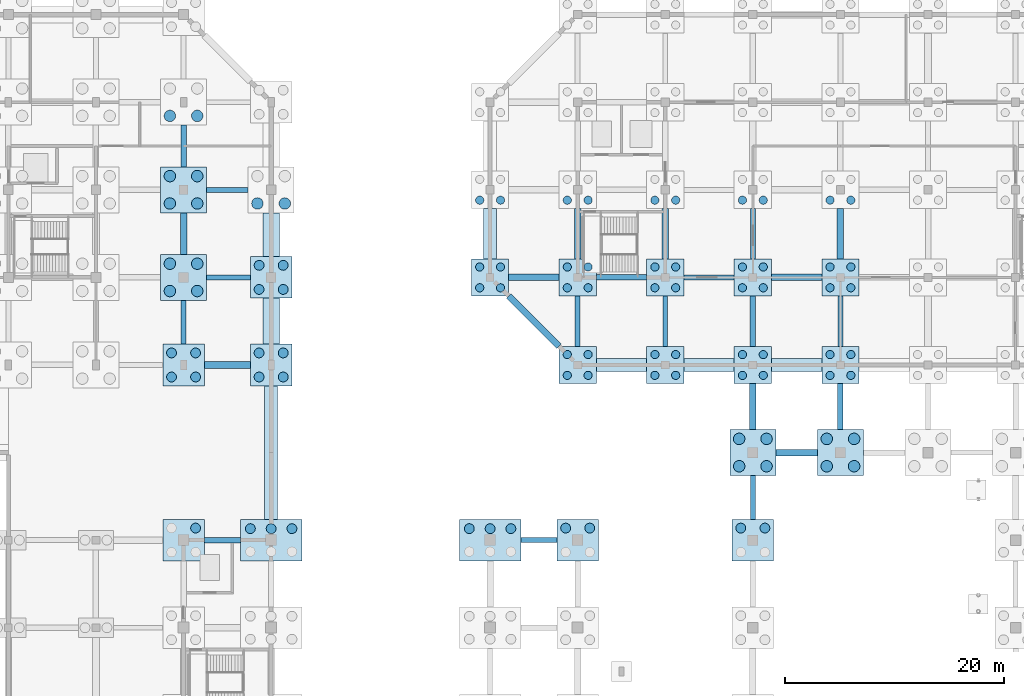
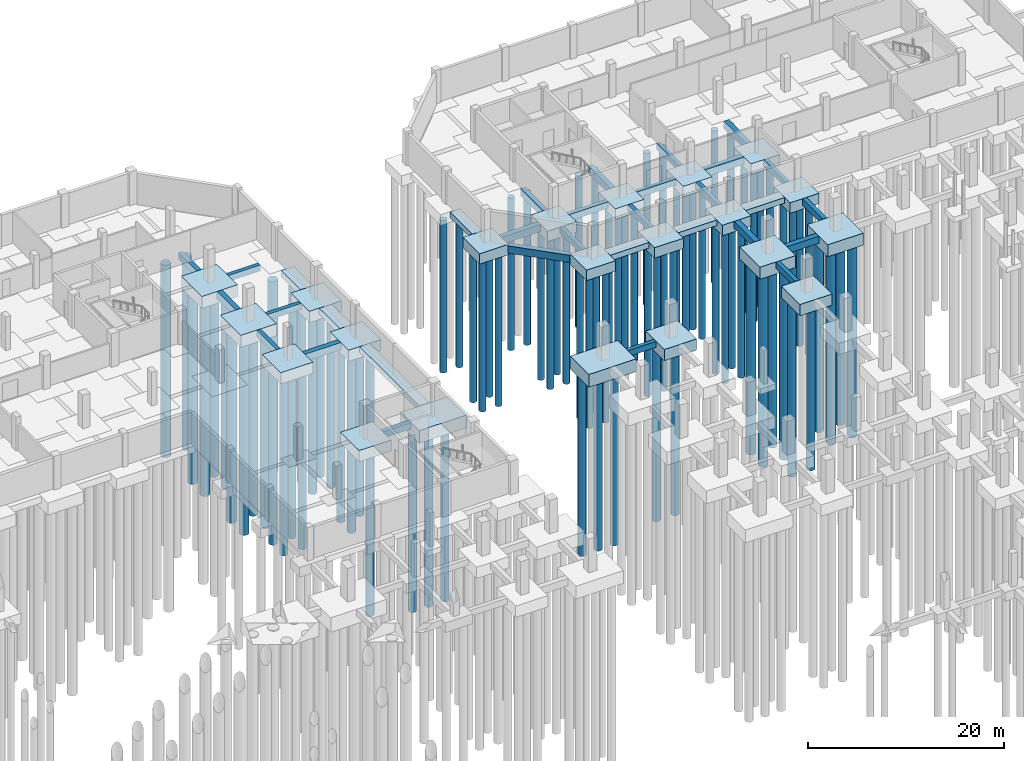
# One storey, part 7 of 32: 89 piles, 53 footings.
"""IFC4 building model written with IfcOpenShell, lengths in metres."""

from ifc_helpers import new_model, si_unit, direction, frame, origin, origin_2d, place, context, subcontext, project, spatial, polyline, rectangle, circle, outline, extrude, material, material_profile, profile_set, type_object, element, save


model = new_model("IFC4")

# Units and contexts
model_context = context("Model", 3, precision=1e-05, world=origin(), true_north=direction((0.0, 1.0)))
body_context = subcontext(model_context, "Body", "Model", "MODEL_VIEW")
ifc_project = project(units=[si_unit("LENGTHUNIT", "METRE"), si_unit("AREAUNIT", "SQUARE_METRE"), si_unit("VOLUMEUNIT", "CUBIC_METRE"), si_unit("PLANEANGLEUNIT", "RADIAN"), si_unit("MASSUNIT", "GRAM", prefix="KILO")], contexts=[model_context])

# Site, building, storey
site_placement = place(None, origin())
site = spatial("IfcSite", under=ifc_project, at=site_placement, CompositionType="ELEMENT")
building_placement = place(site_placement, origin())
building = spatial("IfcBuilding", under=site, at=building_placement, Name="Tenunan Teduh Sports Hall", CompositionType="ELEMENT")
storey_placement = place(building_placement, frame((0.0, 0.0, -4.199951171875)))
storey = spatial("IfcBuildingStorey", under=building, at=storey_placement, Name="B1", CompositionType="ELEMENT", Elevation=-4.199951171875)

# Footings
ifc_material_1 = material(Name="Concrete C40/50", Category="concrete")
ifc_material_profile_1 = material_profile(ifc_material_1, rectangle(XDim=0.449951171875, YDim=0.75, at=origin_2d()), Name="RCB 450x750")
ifc_profile_set_1 = profile_set([ifc_material_profile_1], Name="Concrete C40/50")
footing_type_1 = type_object("IfcFootingType", Name="GB-450x750", PredefinedType="FOOTING_BEAM", material=ifc_profile_set_1)
footing_1_placement = place(storey_placement, frame((100.802001953125, 70.0, -0.375), z_axis=(1.0, 0.0, 0.0), x_axis=(0.0, 1.0, 0.0)))
element("IfcFooting", 1, at=footing_1_placement, inside=storey, type_object=footing_type_1, Name="FTG-GBX-095", PredefinedType="FOOTING_BEAM", context=body_context, shape_type="SweptSolid", body=[
    extrude(rectangle(XDim=0.449951171875, YDim=0.75, at=origin_2d()), origin(), (0.0, 0.0, 1.0), 3.2958984375),
])
footing_2_placement = place(storey_placement, frame((72.10205078125, 94.0, -0.375), z_axis=(1.0, 0.0, 0.0), x_axis=(0.0, 1.0, 0.0)))
element("IfcFooting", 2, at=footing_2_placement, inside=storey, type_object=footing_type_1, Name="FTG-GBX-119", PredefinedType="FOOTING_BEAM", context=body_context, shape_type="SweptSolid", body=[
    extrude(rectangle(XDim=0.449951171875, YDim=0.75, at=origin_2d()), origin(), (0.0, 0.0, 1.0), 3.995849609375),
])
footing_3_placement = place(storey_placement, frame((115.701904296875, 94.0, -0.375), z_axis=(1.0, 0.0, 0.0), x_axis=(0.0, 1.0, 0.0)))
element("IfcFooting", 3, at=footing_3_placement, inside=storey, type_object=footing_type_1, Name="FTG-GBX-122", PredefinedType="FOOTING_BEAM", context=body_context, shape_type="SweptSolid", body=[
    extrude(rectangle(XDim=0.449951171875, YDim=0.75, at=origin_2d()), origin(), (0.0, 0.0, 1.0), 4.59619140625),
])
footing_4_placement = place(storey_placement, frame((72.10205078125, 102.0, -0.375), z_axis=(1.0, 0.0, 0.0), x_axis=(0.0, 1.0, 0.0)))
element("IfcFooting", 4, at=footing_4_placement, inside=storey, type_object=footing_type_1, Name="FTG-GBX-137", PredefinedType="FOOTING_BEAM", context=body_context, shape_type="SweptSolid", body=[
    extrude(rectangle(XDim=0.449951171875, YDim=0.75, at=origin_2d()), origin(), (0.0, 0.0, 1.0), 3.7958984375),
])
footing_5_placement = place(storey_placement, frame((70.0, 87.902099609375, -0.375), z_axis=(0.0, 1.0, 0.0), x_axis=(-1.0, 0.0, 0.0)))
element("IfcFooting", 5, at=footing_5_placement, inside=storey, type_object=footing_type_1, Name="FTG-GBY-249", PredefinedType="FOOTING_BEAM", context=body_context, shape_type="SweptSolid", body=[
    extrude(rectangle(XDim=0.449951171875, YDim=0.75, at=origin_2d()), origin(), (0.0, 0.0, 1.0), 3.995849609375),
])
for number, where, z_axis, x_axis, name in (
    (6, (106.0, 87.701904296875, -0.375), (0.0, 1.0, 0.0), (-1.0, 0.0, 0.0), "FTG-GBY-268"),
    (7, (114.0, 87.701904296875, -0.375), (0.0, 1.0, 0.0), (-1.0, 0.0, 0.0), "FTG-GBY-274"),
):
    element("IfcFooting", number, at=place(storey_placement, frame(where, z_axis=z_axis, x_axis=x_axis)), inside=storey, type_object=footing_type_1, Name=name, PredefinedType="FOOTING_BEAM", context=body_context, shape_type="SweptSolid", body=[
        extrude(rectangle(XDim=0.449951171875, YDim=0.75, at=origin_2d()), origin(), (0.0, 0.0, 1.0), 4.59619140625),
    ])
footing_6_placement = place(storey_placement, frame((122.0, 71.902099609375, -0.375), z_axis=(0.0, 1.0, 0.0), x_axis=(-1.0, 0.0, 0.0)))
element("IfcFooting", 8, at=footing_6_placement, inside=storey, type_object=footing_type_1, Name="FTG-GBY-286", PredefinedType="FOOTING_BEAM", context=body_context, shape_type="SweptSolid", body=[
    extrude(rectangle(XDim=0.449951171875, YDim=0.75, at=origin_2d()), origin(), (0.0, 0.0, 1.0), 3.995849609375),
])
for number, where, z_axis, x_axis, name in (
    (9, (122.0, 95.701904296875, -0.375), (0.0, 1.0, 0.0), (-1.0, 0.0, 0.0), "FTG-GBY-289"),
    (10, (130.0, 87.701904296875, -0.375), (0.0, 1.0, 0.0), (-1.0, 0.0, 0.0), "FTG-GBY-295"),
):
    element("IfcFooting", number, at=place(storey_placement, frame(where, z_axis=z_axis, x_axis=x_axis)), inside=storey, type_object=footing_type_1, Name=name, PredefinedType="FOOTING_BEAM", context=body_context, shape_type="SweptSolid", body=[
        extrude(rectangle(XDim=0.449951171875, YDim=0.75, at=origin_2d()), origin(), (0.0, 0.0, 1.0), 4.59619140625),
    ])
ifc_material_2 = material(Name="Concrete C40/50", Category="concrete")
ifc_material_profile_2 = material_profile(ifc_material_2, rectangle(XDim=0.5, YDim=0.800048828125, at=origin_2d()), Name="RCB 500x800")
ifc_profile_set_2 = profile_set([ifc_material_profile_2], Name="Concrete C40/50")
footing_type_2 = type_object("IfcFootingType", Name="GB-500x800", PredefinedType="FOOTING_BEAM", material=ifc_profile_set_2)
footing_7_placement = place(storey_placement, frame((71.902099609375, 70.0, -0.400146484375), z_axis=(1.0, 0.0, 0.0), x_axis=(0.0, 1.0, 0.0)))
element("IfcFooting", 11, at=footing_7_placement, inside=storey, type_object=footing_type_2, Name="FTG-GBX-094", PredefinedType="FOOTING_BEAM", context=body_context, shape_type="SweptSolid", body=[
    extrude(rectangle(XDim=0.5, YDim=0.800048828125, at=origin_2d()), origin(), (0.0, 0.0, 1.0), 3.2958984375),
])
footing_8_placement = place(storey_placement, frame((107.701904296875, 94.0, -0.400146484375), z_axis=(1.0, 0.0, 0.0), x_axis=(0.0, 1.0, 0.0)))
element("IfcFooting", 12, at=footing_8_placement, inside=storey, type_object=footing_type_2, Name="FTG-GBX-121", PredefinedType="FOOTING_BEAM", context=body_context, shape_type="SweptSolid", body=[
    extrude(rectangle(XDim=0.5, YDim=0.800048828125, at=origin_2d()), origin(), (0.0, 0.0, 1.0), 4.59619140625),
])
footing_9_placement = place(storey_placement, frame((70.0, 104.10205078125, -0.400146484375), z_axis=(0.0, 1.0, 0.0), x_axis=(-1.0, 0.0, 0.0)))
element("IfcFooting", 13, at=footing_9_placement, inside=storey, type_object=footing_type_2, Name="FTG-GBY-251", PredefinedType="FOOTING_BEAM", context=body_context, shape_type="SweptSolid", body=[
    extrude(rectangle(XDim=0.5, YDim=0.800048828125, at=origin_2d()), origin(), (0.0, 0.0, 1.0), 3.7958984375),
])
footing_10_placement = place(storey_placement, frame((122.0, 87.701904296875, -0.400146484375), z_axis=(0.0, 1.0, 0.0), x_axis=(-1.0, 0.0, 0.0)))
element("IfcFooting", 14, at=footing_10_placement, inside=storey, type_object=footing_type_2, Name="FTG-GBY-288", PredefinedType="FOOTING_BEAM", context=body_context, shape_type="SweptSolid", body=[
    extrude(rectangle(XDim=0.5, YDim=0.800048828125, at=origin_2d()), origin(), (0.0, 0.0, 1.0), 4.59619140625),
])
footing_11_placement = place(storey_placement, frame((130.0, 80.10205078125, -0.400146484375), z_axis=(0.0, 1.0, 0.0), x_axis=(-1.0, 0.0, 0.0)))
element("IfcFooting", 15, at=footing_11_placement, inside=storey, type_object=footing_type_2, Name="FTG-GBY-294", PredefinedType="FOOTING_BEAM", context=body_context, shape_type="SweptSolid", body=[
    extrude(rectangle(XDim=0.5, YDim=0.800048828125, at=origin_2d()), origin(), (0.0, 0.0, 1.0), 4.196044921875),
])
ifc_material_3 = material(Name="Concrete C40/50", Category="concrete")
ifc_material_profile_3 = material_profile(ifc_material_3, rectangle(XDim=0.60009765625, YDim=0.89990234375, at=origin_2d()), Name="RCB 600x900")
ifc_profile_set_3 = profile_set([ifc_material_profile_3], Name="Concrete C40/50")
footing_type_3 = type_object("IfcFootingType", Name="GB-600x900", PredefinedType="FOOTING_BEAM", material=ifc_profile_set_3)
footing_12_placement = place(storey_placement, frame((124.10205078125, 78.0, -0.449951171875), z_axis=(1.0, 0.0, 0.0), x_axis=(0.0, 1.0, 0.0)))
element("IfcFooting", 16, at=footing_12_placement, inside=storey, type_object=footing_type_3, Name="FTG-GBX-097", PredefinedType="FOOTING_BEAM", context=body_context, shape_type="SweptSolid", body=[
    extrude(rectangle(XDim=0.60009765625, YDim=0.89990234375, at=origin_2d()), origin(), (0.0, 0.0, 1.0), 3.7958984375),
])
footing_13_placement = place(storey_placement, frame((71.902099609375, 86.0, -0.449951171875), z_axis=(1.0, 0.0, 0.0), x_axis=(0.0, 1.0, 0.0)))
element("IfcFooting", 17, at=footing_13_placement, inside=storey, type_object=footing_type_3, Name="FTG-GBX-109", PredefinedType="FOOTING_BEAM", context=body_context, shape_type="SweptSolid", body=[
    extrude(rectangle(XDim=0.60009765625, YDim=0.89990234375, at=origin_2d()), origin(), (0.0, 0.0, 1.0), 4.19580078125),
])
for number, where, z_axis, x_axis, name in (
    (18, (99.701904296875, 94.0, -0.449951171875), (1.0, 0.0, 0.0), (0.0, 1.0, 0.0), "FTG-GBX-120"),
    (19, (123.701904296875, 94.0, -0.449951171875), (1.0, 0.0, 0.0), (0.0, 1.0, 0.0), "FTG-GBX-123"),
):
    element("IfcFooting", number, at=place(storey_placement, frame(where, z_axis=z_axis, x_axis=x_axis)), inside=storey, type_object=footing_type_3, Name=name, PredefinedType="FOOTING_BEAM", context=body_context, shape_type="SweptSolid", body=[
        extrude(rectangle(XDim=0.60009765625, YDim=0.89990234375, at=origin_2d()), origin(), (0.0, 0.0, 1.0), 4.59619140625),
    ])
footing_14_placement = place(storey_placement, frame((70.0, 96.10205078125, -0.449951171875), z_axis=(0.0, 1.0, 0.0), x_axis=(-1.0, 0.0, 0.0)))
element("IfcFooting", 20, at=footing_14_placement, inside=storey, type_object=footing_type_3, Name="FTG-GBY-250", PredefinedType="FOOTING_BEAM", context=body_context, shape_type="SweptSolid", body=[
    extrude(rectangle(XDim=0.60009765625, YDim=0.89990234375, at=origin_2d()), origin(), (0.0, 0.0, 1.0), 3.7958984375),
])
for number, where, z_axis, x_axis, name in (
    (21, (106.0, 95.701904296875, -0.449951171875), (0.0, 1.0, 0.0), (-1.0, 0.0, 0.0), "FTG-GBY-269"),
    (22, (114.0, 95.701904296875, -0.449951171875), (0.0, 1.0, 0.0), (-1.0, 0.0, 0.0), "FTG-GBY-275"),
):
    element("IfcFooting", number, at=place(storey_placement, frame(where, z_axis=z_axis, x_axis=x_axis)), inside=storey, type_object=footing_type_3, Name=name, PredefinedType="FOOTING_BEAM", context=body_context, shape_type="SweptSolid", body=[
        extrude(rectangle(XDim=0.60009765625, YDim=0.89990234375, at=origin_2d()), origin(), (0.0, 0.0, 1.0), 4.59619140625),
    ])
footing_15_placement = place(storey_placement, frame((122.0, 80.10205078125, -0.449951171875), z_axis=(0.0, 1.0, 0.0), x_axis=(-1.0, 0.0, 0.0)))
element("IfcFooting", 23, at=footing_15_placement, inside=storey, type_object=footing_type_3, Name="FTG-GBY-287", PredefinedType="FOOTING_BEAM", context=body_context, shape_type="SweptSolid", body=[
    extrude(rectangle(XDim=0.60009765625, YDim=0.89990234375, at=origin_2d()), origin(), (0.0, 0.0, 1.0), 4.196044921875),
])
footing_16_placement = place(storey_placement, frame((130.0, 95.701904296875, -0.449951171875), z_axis=(0.0, 1.0, 0.0), x_axis=(-1.0, 0.0, 0.0)))
element("IfcFooting", 24, at=footing_16_placement, inside=storey, type_object=footing_type_3, Name="FTG-GBY-296", PredefinedType="FOOTING_BEAM", context=body_context, shape_type="SweptSolid", body=[
    extrude(rectangle(XDim=0.60009765625, YDim=0.89990234375, at=origin_2d()), origin(), (0.0, 0.0, 1.0), 4.59619140625),
])
footing_17_placement = place(storey_placement, frame((99.701904296875, 92.298095703125, -0.449951171875), z_axis=(0.707106781187, -0.707106781187, 0.0), x_axis=(0.707106781187, 0.707106781187, 0.0)))
element("IfcFooting", 25, at=footing_17_placement, inside=storey, type_object=footing_type_3, Name="FTG-GBD-345", PredefinedType="FOOTING_BEAM", context=body_context, shape_type="SweptSolid", body=[
    extrude(rectangle(XDim=0.60009765625, YDim=0.89990234375, at=origin_2d()), origin(), (0.0, 0.0, 1.0), 6.5),
])
ifc_material_4 = material(Name="Concrete C40/50", Category="concrete")
footing_type_4 = type_object("IfcFootingType", Name="PC-4A", PredefinedType="PILE_CAP", material=ifc_material_4)
for number, where, z_axis, x_axis, name in (
    (26, (98.0, 94.0, -1.30029296875), (0.0, 0.0, 1.0), (1.0, 0.0, 0.0), "FTG-PC-127"),
    (27, (106.0, 86.0, -1.30029296875), (0.0, 0.0, 1.0), (1.0, 0.0, 0.0), "FTG-PC-137"),
    (28, (106.0, 94.0, -1.30029296875), (0.0, 0.0, 1.0), (1.0, 0.0, 0.0), "FTG-PC-138"),
    (29, (114.0, 86.0, -1.30029296875), (0.0, 0.0, 1.0), (1.0, 0.0, 0.0), "FTG-PC-146"),
    (30, (114.0, 94.0, -1.30029296875), (0.0, 0.0, 1.0), (1.0, 0.0, 0.0), "FTG-PC-147"),
    (31, (122.0, 86.0, -1.30029296875), (0.0, 0.0, 1.0), (1.0, 0.0, 0.0), "FTG-PC-161"),
    (32, (122.0, 94.0, -1.30029296875), (0.0, 0.0, 1.0), (1.0, 0.0, 0.0), "FTG-PC-162"),
    (33, (130.0, 86.0, -1.30029296875), (0.0, 0.0, 1.0), (1.0, 0.0, 0.0), "FTG-PC-171"),
    (34, (130.0, 94.0, -1.30029296875), (0.0, 0.0, 1.0), (1.0, 0.0, 0.0), "FTG-PC-172"),
):
    element("IfcFooting", number, at=place(storey_placement, frame(where, z_axis=z_axis, x_axis=x_axis)), inside=storey, type_object=footing_type_4, Name=name, PredefinedType="PILE_CAP", context=body_context, shape_type="SweptSolid", body=[
        extrude(rectangle(XDim=3.39990234375, YDim=3.39990234375, at=origin_2d()), origin(), (0.0, 0.0, 1.0), 1.300048828125),
    ])
ifc_material_5 = material(Name="Concrete C40/50", Category="concrete")
footing_type_5 = type_object("IfcFootingType", Name="PC-4B", PredefinedType="PILE_CAP", material=ifc_material_5)
for number, where, z_axis, x_axis, name in (
    (35, (70.0, 70.0, -1.39990234375), (0.0, 0.0, 1.0), (1.0, 0.0, 0.0), "FTG-PC-103"),
    (36, (70.0, 86.0, -1.39990234375), (0.0, 0.0, 1.0), (1.0, 0.0, 0.0), "FTG-PC-104"),
    (37, (78.0, 86.0, -1.39990234375), (0.0, 0.0, 1.0), (1.0, 0.0, 0.0), "FTG-PC-116"),
    (38, (78.0, 94.0, -1.39990234375), (0.0, 0.0, 1.0), (1.0, 0.0, 0.0), "FTG-PC-117"),
    (39, (106.0, 70.0, -1.39990234375), (0.0, 0.0, 1.0), (1.0, 0.0, 0.0), "FTG-PC-136"),
    (40, (122.0, 70.0, -1.39990234375), (0.0, 0.0, 1.0), (1.0, 0.0, 0.0), "FTG-PC-159"),
):
    element("IfcFooting", number, at=place(storey_placement, frame(where, z_axis=z_axis, x_axis=x_axis)), inside=storey, type_object=footing_type_5, Name=name, PredefinedType="PILE_CAP", context=body_context, shape_type="SweptSolid", body=[
        extrude(rectangle(XDim=3.800048828125, YDim=3.800048828125, at=origin_2d()), origin(), (0.0, 0.0, 1.0), 1.39990234375),
    ])
ifc_material_6 = material(Name="Concrete C40/50", Category="concrete")
footing_type_6 = type_object("IfcFootingType", Name="PC-4C", PredefinedType="PILE_CAP", material=ifc_material_6)
for number, where, z_axis, x_axis, name in (
    (41, (70.0, 94.0, -1.5), (0.0, 0.0, 1.0), (1.0, 0.0, 0.0), "FTG-PC-105"),
    (42, (70.0, 102.0, -1.5), (0.0, 0.0, 1.0), (1.0, 0.0, 0.0), "FTG-PC-106"),
    (43, (122.0, 78.0, -1.5), (0.0, 0.0, 1.0), (1.0, 0.0, 0.0), "FTG-PC-160"),
    (44, (130.0, 78.0, -1.5), (0.0, 0.0, 1.0), (1.0, 0.0, 0.0), "FTG-PC-170"),
):
    element("IfcFooting", number, at=place(storey_placement, frame(where, z_axis=z_axis, x_axis=x_axis)), inside=storey, type_object=footing_type_6, Name=name, PredefinedType="PILE_CAP", context=body_context, shape_type="SweptSolid", body=[
        extrude(rectangle(XDim=4.199951171875, YDim=4.199951171875, at=origin_2d()), origin(), (0.0, 0.0, 1.0), 1.5),
    ])
ifc_material_7 = material(Name="Concrete C40/50", Category="concrete")
footing_type_7 = type_object("IfcFootingType", Name="PC-6A", PredefinedType="PILE_CAP", material=ifc_material_7)
for number, where, z_axis, x_axis, name in (
    (45, (78.0, 70.0, -1.60009765625), (0.0, 0.0, 1.0), (1.0, 0.0, 0.0), "FTG-PC-115"),
    (46, (98.0, 70.0, -1.60009765625), (0.0, 0.0, 1.0), (1.0, 0.0, 0.0), "FTG-PC-126"),
):
    element("IfcFooting", number, at=place(storey_placement, frame(where, z_axis=z_axis, x_axis=x_axis)), inside=storey, type_object=footing_type_7, Name=name, PredefinedType="PILE_CAP", context=body_context, shape_type="SweptSolid", body=[
        extrude(rectangle(XDim=5.60009765625, YDim=3.800048828125, at=origin_2d()), origin(), (0.0, 0.0, 1.0), 1.60009765625),
    ])

# Piles
ifc_material_8 = material(Name="Concrete C40/50", Category="concrete")
ifc_material_profile_4 = material_profile(ifc_material_8, circle(Radius=0.52490234375, at=origin_2d()), Name="PILE D1050")
ifc_profile_set_4 = profile_set([ifc_material_profile_4], Name="Concrete C40/50")
pile_type_1 = type_object("IfcPileType", Name="PILE-D1050", PredefinedType="BORED", material=ifc_profile_set_4)
for number, where, z_axis, x_axis, name in (
    (47, (68.75, 92.75, -1.400146484375), (0.0, 0.0, -1.0), (1.0, 0.0, 0.0), "PILE-PL-3-105-1"),
    (48, (71.25, 92.75, -1.400146484375), (0.0, 0.0, -1.0), (1.0, 0.0, 0.0), "PILE-PL-3-105-2"),
    (49, (68.75, 95.25, -1.400146484375), (0.0, 0.0, -1.0), (1.0, 0.0, 0.0), "PILE-PL-3-105-3"),
    (50, (71.25, 95.25, -1.400146484375), (0.0, 0.0, -1.0), (1.0, 0.0, 0.0), "PILE-PL-3-105-4"),
    (51, (68.75, 100.75, -1.400146484375), (0.0, 0.0, -1.0), (1.0, 0.0, 0.0), "PILE-PL-3-106-1"),
    (52, (71.25, 100.75, -1.400146484375), (0.0, 0.0, -1.0), (1.0, 0.0, 0.0), "PILE-PL-3-106-2"),
    (53, (68.75, 103.25, -1.400146484375), (0.0, 0.0, -1.0), (1.0, 0.0, 0.0), "PILE-PL-3-106-3"),
    (54, (71.25, 103.25, -1.400146484375), (0.0, 0.0, -1.0), (1.0, 0.0, 0.0), "PILE-PL-3-106-4"),
    (55, (68.75, 108.75, -1.400146484375), (0.0, 0.0, -1.0), (1.0, 0.0, 0.0), "PILE-PL-3-107-1"),
    (56, (71.25, 108.75, -1.400146484375), (0.0, 0.0, -1.0), (1.0, 0.0, 0.0), "PILE-PL-3-107-2"),
    (57, (76.75, 100.75, -1.400146484375), (0.0, 0.0, -1.0), (1.0, 0.0, 0.0), "PILE-PL-3-118-1"),
    (58, (79.25, 100.75, -1.400146484375), (0.0, 0.0, -1.0), (1.0, 0.0, 0.0), "PILE-PL-3-118-2"),
    (59, (120.75, 76.75, -1.400146484375), (0.0, 0.0, -1.0), (1.0, 0.0, 0.0), "PILE-PL-3-160-1"),
    (60, (123.25, 76.75, -1.400146484375), (0.0, 0.0, -1.0), (1.0, 0.0, 0.0), "PILE-PL-3-160-2"),
    (61, (120.75, 79.25, -1.400146484375), (0.0, 0.0, -1.0), (1.0, 0.0, 0.0), "PILE-PL-3-160-3"),
    (62, (123.25, 79.25, -1.400146484375), (0.0, 0.0, -1.0), (1.0, 0.0, 0.0), "PILE-PL-3-160-4"),
    (63, (128.75, 76.75, -1.400146484375), (0.0, 0.0, -1.0), (1.0, 0.0, 0.0), "PILE-PL-3-170-1"),
    (64, (131.25, 76.75, -1.400146484375), (0.0, 0.0, -1.0), (1.0, 0.0, 0.0), "PILE-PL-3-170-2"),
    (65, (128.75, 79.25, -1.400146484375), (0.0, 0.0, -1.0), (1.0, 0.0, 0.0), "PILE-PL-3-170-3"),
    (66, (131.25, 79.25, -1.400146484375), (0.0, 0.0, -1.0), (1.0, 0.0, 0.0), "PILE-PL-3-170-4"),
):
    element("IfcPile", number, at=place(storey_placement, frame(where, z_axis=z_axis, x_axis=x_axis)), inside=storey, type_object=pile_type_1, Name=name, PredefinedType="BORED", context=body_context, shape_type="SweptSolid", body=[
        extrude(circle(Radius=0.52490234375, at=origin_2d()), origin(), (0.0, 0.0, 1.0), 24.0),
    ])
ifc_material_9 = material(Name="Concrete C40/50", Category="concrete")
ifc_material_profile_5 = material_profile(ifc_material_9, circle(Radius=0.375, at=origin_2d()), Name="PILE D750")
ifc_profile_set_5 = profile_set([ifc_material_profile_5], Name="Concrete C40/50")
pile_type_2 = type_object("IfcPileType", Name="PILE-D750", PredefinedType="BORED", material=ifc_profile_set_5)
for number, where, z_axis, x_axis, name in (
    (67, (97.050048828125, 93.050048828125, -1.199951171875), (0.0, 0.0, -1.0), (1.0, 0.0, 0.0), "PILE-PL-1-127-1"),
    (68, (98.949951171875, 93.050048828125, -1.199951171875), (0.0, 0.0, -1.0), (1.0, 0.0, 0.0), "PILE-PL-1-127-2"),
    (69, (97.050048828125, 94.949951171875, -1.199951171875), (0.0, 0.0, -1.0), (1.0, 0.0, 0.0), "PILE-PL-1-127-3"),
    (70, (98.949951171875, 94.949951171875, -1.199951171875), (0.0, 0.0, -1.0), (1.0, 0.0, 0.0), "PILE-PL-1-127-4"),
    (71, (97.050048828125, 101.050048828125, -1.199951171875), (0.0, 0.0, -1.0), (1.0, 0.0, 0.0), "PILE-PL-1-128-1"),
    (72, (98.949951171875, 101.050048828125, -1.199951171875), (0.0, 0.0, -1.0), (1.0, 0.0, 0.0), "PILE-PL-1-128-2"),
    (73, (105.050048828125, 85.050048828125, -1.199951171875), (0.0, 0.0, -1.0), (1.0, 0.0, 0.0), "PILE-PL-1-137-1"),
    (74, (106.949951171875, 85.050048828125, -1.199951171875), (0.0, 0.0, -1.0), (1.0, 0.0, 0.0), "PILE-PL-1-137-2"),
    (75, (105.050048828125, 86.949951171875, -1.199951171875), (0.0, 0.0, -1.0), (1.0, 0.0, 0.0), "PILE-PL-1-137-3"),
    (76, (106.949951171875, 86.949951171875, -1.199951171875), (0.0, 0.0, -1.0), (1.0, 0.0, 0.0), "PILE-PL-1-137-4"),
    (77, (105.050048828125, 93.050048828125, -1.199951171875), (0.0, 0.0, -1.0), (1.0, 0.0, 0.0), "PILE-PL-1-138-1"),
    (78, (106.949951171875, 93.050048828125, -1.199951171875), (0.0, 0.0, -1.0), (1.0, 0.0, 0.0), "PILE-PL-1-138-2"),
    (79, (105.050048828125, 94.949951171875, -1.199951171875), (0.0, 0.0, -1.0), (1.0, 0.0, 0.0), "PILE-PL-1-138-3"),
    (80, (106.949951171875, 94.949951171875, -1.199951171875), (0.0, 0.0, -1.0), (1.0, 0.0, 0.0), "PILE-PL-1-138-4"),
    (81, (105.050048828125, 101.050048828125, -1.199951171875), (0.0, 0.0, -1.0), (1.0, 0.0, 0.0), "PILE-PL-1-139-1"),
    (82, (106.949951171875, 101.050048828125, -1.199951171875), (0.0, 0.0, -1.0), (1.0, 0.0, 0.0), "PILE-PL-1-139-2"),
    (83, (113.050048828125, 85.050048828125, -1.199951171875), (0.0, 0.0, -1.0), (1.0, 0.0, 0.0), "PILE-PL-1-146-1"),
    (84, (114.949951171875, 85.050048828125, -1.199951171875), (0.0, 0.0, -1.0), (1.0, 0.0, 0.0), "PILE-PL-1-146-2"),
    (85, (113.050048828125, 86.949951171875, -1.199951171875), (0.0, 0.0, -1.0), (1.0, 0.0, 0.0), "PILE-PL-1-146-3"),
    (86, (114.949951171875, 86.949951171875, -1.199951171875), (0.0, 0.0, -1.0), (1.0, 0.0, 0.0), "PILE-PL-1-146-4"),
    (87, (113.050048828125, 93.050048828125, -1.199951171875), (0.0, 0.0, -1.0), (1.0, 0.0, 0.0), "PILE-PL-1-147-1"),
    (88, (114.949951171875, 93.050048828125, -1.199951171875), (0.0, 0.0, -1.0), (1.0, 0.0, 0.0), "PILE-PL-1-147-2"),
    (89, (113.050048828125, 94.949951171875, -1.199951171875), (0.0, 0.0, -1.0), (1.0, 0.0, 0.0), "PILE-PL-1-147-3"),
    (90, (114.949951171875, 94.949951171875, -1.199951171875), (0.0, 0.0, -1.0), (1.0, 0.0, 0.0), "PILE-PL-1-147-4"),
    (91, (113.050048828125, 101.050048828125, -1.199951171875), (0.0, 0.0, -1.0), (1.0, 0.0, 0.0), "PILE-PL-1-148-1"),
    (92, (114.949951171875, 101.050048828125, -1.199951171875), (0.0, 0.0, -1.0), (1.0, 0.0, 0.0), "PILE-PL-1-148-2"),
    (93, (121.050048828125, 85.050048828125, -1.199951171875), (0.0, 0.0, -1.0), (1.0, 0.0, 0.0), "PILE-PL-1-161-1"),
    (94, (122.949951171875, 85.050048828125, -1.199951171875), (0.0, 0.0, -1.0), (1.0, 0.0, 0.0), "PILE-PL-1-161-2"),
    (95, (121.050048828125, 86.949951171875, -1.199951171875), (0.0, 0.0, -1.0), (1.0, 0.0, 0.0), "PILE-PL-1-161-3"),
    (96, (122.949951171875, 86.949951171875, -1.199951171875), (0.0, 0.0, -1.0), (1.0, 0.0, 0.0), "PILE-PL-1-161-4"),
    (97, (121.050048828125, 93.050048828125, -1.199951171875), (0.0, 0.0, -1.0), (1.0, 0.0, 0.0), "PILE-PL-1-162-1"),
    (98, (122.949951171875, 93.050048828125, -1.199951171875), (0.0, 0.0, -1.0), (1.0, 0.0, 0.0), "PILE-PL-1-162-2"),
    (99, (121.050048828125, 94.949951171875, -1.199951171875), (0.0, 0.0, -1.0), (1.0, 0.0, 0.0), "PILE-PL-1-162-3"),
    (100, (122.949951171875, 94.949951171875, -1.199951171875), (0.0, 0.0, -1.0), (1.0, 0.0, 0.0), "PILE-PL-1-162-4"),
    (101, (121.050048828125, 101.050048828125, -1.199951171875), (0.0, 0.0, -1.0), (1.0, 0.0, 0.0), "PILE-PL-1-163-1"),
    (102, (122.949951171875, 101.050048828125, -1.199951171875), (0.0, 0.0, -1.0), (1.0, 0.0, 0.0), "PILE-PL-1-163-2"),
    (103, (129.050048828125, 85.050048828125, -1.199951171875), (0.0, 0.0, -1.0), (1.0, 0.0, 0.0), "PILE-PL-1-171-1"),
    (104, (130.949951171875, 85.050048828125, -1.199951171875), (0.0, 0.0, -1.0), (1.0, 0.0, 0.0), "PILE-PL-1-171-2"),
    (105, (129.050048828125, 86.949951171875, -1.199951171875), (0.0, 0.0, -1.0), (1.0, 0.0, 0.0), "PILE-PL-1-171-3"),
    (106, (130.949951171875, 86.949951171875, -1.199951171875), (0.0, 0.0, -1.0), (1.0, 0.0, 0.0), "PILE-PL-1-171-4"),
    (107, (129.050048828125, 93.050048828125, -1.199951171875), (0.0, 0.0, -1.0), (1.0, 0.0, 0.0), "PILE-PL-1-172-1"),
    (108, (130.949951171875, 93.050048828125, -1.199951171875), (0.0, 0.0, -1.0), (1.0, 0.0, 0.0), "PILE-PL-1-172-2"),
    (109, (129.050048828125, 94.949951171875, -1.199951171875), (0.0, 0.0, -1.0), (1.0, 0.0, 0.0), "PILE-PL-1-172-3"),
    (110, (130.949951171875, 94.949951171875, -1.199951171875), (0.0, 0.0, -1.0), (1.0, 0.0, 0.0), "PILE-PL-1-172-4"),
    (111, (129.050048828125, 101.050048828125, -1.199951171875), (0.0, 0.0, -1.0), (1.0, 0.0, 0.0), "PILE-PL-1-173-1"),
    (112, (130.949951171875, 101.050048828125, -1.199951171875), (0.0, 0.0, -1.0), (1.0, 0.0, 0.0), "PILE-PL-1-173-2"),
):
    element("IfcPile", number, at=place(storey_placement, frame(where, z_axis=z_axis, x_axis=x_axis)), inside=storey, type_object=pile_type_2, Name=name, PredefinedType="BORED", context=body_context, shape_type="SweptSolid", body=[
        extrude(circle(Radius=0.375, at=origin_2d()), origin(), (0.0, 0.0, 1.0), 19.0),
    ])
ifc_material_10 = material(Name="Concrete C40/50", Category="concrete")
ifc_material_profile_6 = material_profile(ifc_material_10, circle(Radius=0.449951171875, at=origin_2d()), Name="PILE D900")
ifc_profile_set_6 = profile_set([ifc_material_profile_6], Name="Concrete C40/50")
pile_type_3 = type_object("IfcPileType", Name="PILE-D900", PredefinedType="BORED", material=ifc_profile_set_6)
for number, where, z_axis, x_axis, name in (
    (113, (71.10009765625, 71.10009765625, -1.300048828125), (0.0, 0.0, -1.0), (1.0, 0.0, 0.0), "PILE-PL-2-103-4"),
    (114, (68.89990234375, 84.89990234375, -1.300048828125), (0.0, 0.0, -1.0), (1.0, 0.0, 0.0), "PILE-PL-2-104-1"),
    (115, (71.10009765625, 84.89990234375, -1.300048828125), (0.0, 0.0, -1.0), (1.0, 0.0, 0.0), "PILE-PL-2-104-2"),
    (116, (68.89990234375, 87.10009765625, -1.300048828125), (0.0, 0.0, -1.0), (1.0, 0.0, 0.0), "PILE-PL-2-104-3"),
    (117, (71.10009765625, 87.10009765625, -1.300048828125), (0.0, 0.0, -1.0), (1.0, 0.0, 0.0), "PILE-PL-2-104-4"),
):
    element("IfcPile", number, at=place(storey_placement, frame(where, z_axis=z_axis, x_axis=x_axis)), inside=storey, type_object=pile_type_3, Name=name, PredefinedType="BORED", context=body_context, shape_type="SweptSolid", body=[
        extrude(circle(Radius=0.449951171875, at=origin_2d()), origin(), (0.0, 0.0, 1.0), 22.0),
    ])
for number, where, z_axis, x_axis, name in (
    (118, (76.10009765625, 71.050048828125, -1.5), (0.0, 0.0, -1.0), (1.0, 0.0, 0.0), "PILE-PL-2-115-4"),
    (119, (78.0, 71.050048828125, -1.5), (0.0, 0.0, -1.0), (1.0, 0.0, 0.0), "PILE-PL-2-115-5"),
    (120, (79.89990234375, 71.050048828125, -1.5), (0.0, 0.0, -1.0), (1.0, 0.0, 0.0), "PILE-PL-2-115-6"),
):
    element("IfcPile", number, at=place(storey_placement, frame(where, z_axis=z_axis, x_axis=x_axis)), inside=storey, type_object=pile_type_3, Name=name, PredefinedType="BORED", context=body_context, shape_type="SweptSolid", body=[
        extrude(circle(Radius=0.449951171875, at=origin_2d()), origin(), (0.0, 0.0, 1.0), 23.0),
    ])
for number, where, z_axis, x_axis, name in (
    (121, (76.89990234375, 84.89990234375, -1.300048828125), (0.0, 0.0, -1.0), (1.0, 0.0, 0.0), "PILE-PL-2-116-1"),
    (122, (79.10009765625, 84.89990234375, -1.300048828125), (0.0, 0.0, -1.0), (1.0, 0.0, 0.0), "PILE-PL-2-116-2"),
    (123, (76.89990234375, 87.10009765625, -1.300048828125), (0.0, 0.0, -1.0), (1.0, 0.0, 0.0), "PILE-PL-2-116-3"),
    (124, (79.10009765625, 87.10009765625, -1.300048828125), (0.0, 0.0, -1.0), (1.0, 0.0, 0.0), "PILE-PL-2-116-4"),
    (125, (76.89990234375, 92.89990234375, -1.300048828125), (0.0, 0.0, -1.0), (1.0, 0.0, 0.0), "PILE-PL-2-117-1"),
    (126, (79.10009765625, 92.89990234375, -1.300048828125), (0.0, 0.0, -1.0), (1.0, 0.0, 0.0), "PILE-PL-2-117-2"),
    (127, (76.89990234375, 95.10009765625, -1.300048828125), (0.0, 0.0, -1.0), (1.0, 0.0, 0.0), "PILE-PL-2-117-3"),
    (128, (79.10009765625, 95.10009765625, -1.300048828125), (0.0, 0.0, -1.0), (1.0, 0.0, 0.0), "PILE-PL-2-117-4"),
):
    element("IfcPile", number, at=place(storey_placement, frame(where, z_axis=z_axis, x_axis=x_axis)), inside=storey, type_object=pile_type_3, Name=name, PredefinedType="BORED", context=body_context, shape_type="SweptSolid", body=[
        extrude(circle(Radius=0.449951171875, at=origin_2d()), origin(), (0.0, 0.0, 1.0), 22.0),
    ])
for number, where, z_axis, x_axis, name in (
    (129, (96.10009765625, 71.050048828125, -1.5), (0.0, 0.0, -1.0), (1.0, 0.0, 0.0), "PILE-PL-2-126-4"),
    (130, (98.0, 71.050048828125, -1.5), (0.0, 0.0, -1.0), (1.0, 0.0, 0.0), "PILE-PL-2-126-5"),
    (131, (99.89990234375, 71.050048828125, -1.5), (0.0, 0.0, -1.0), (1.0, 0.0, 0.0), "PILE-PL-2-126-6"),
):
    element("IfcPile", number, at=place(storey_placement, frame(where, z_axis=z_axis, x_axis=x_axis)), inside=storey, type_object=pile_type_3, Name=name, PredefinedType="BORED", context=body_context, shape_type="SweptSolid", body=[
        extrude(circle(Radius=0.449951171875, at=origin_2d()), origin(), (0.0, 0.0, 1.0), 23.0),
    ])
for number, where, z_axis, x_axis, name in (
    (132, (104.89990234375, 71.10009765625, -1.300048828125), (0.0, 0.0, -1.0), (1.0, 0.0, 0.0), "PILE-PL-2-136-3"),
    (133, (107.10009765625, 71.10009765625, -1.300048828125), (0.0, 0.0, -1.0), (1.0, 0.0, 0.0), "PILE-PL-2-136-4"),
    (134, (120.89990234375, 71.10009765625, -1.300048828125), (0.0, 0.0, -1.0), (1.0, 0.0, 0.0), "PILE-PL-2-159-3"),
    (135, (123.10009765625, 71.10009765625, -1.300048828125), (0.0, 0.0, -1.0), (1.0, 0.0, 0.0), "PILE-PL-2-159-4"),
):
    element("IfcPile", number, at=place(storey_placement, frame(where, z_axis=z_axis, x_axis=x_axis)), inside=storey, type_object=pile_type_3, Name=name, PredefinedType="BORED", context=body_context, shape_type="SweptSolid", body=[
        extrude(circle(Radius=0.449951171875, at=origin_2d()), origin(), (0.0, 0.0, 1.0), 22.0),
    ])

# Footings
ifc_material_11 = material(Name="Concrete C40/50", Category="concrete")
footing_type_8 = type_object("IfcFootingType", Name="SF-1200x700", PredefinedType="STRIP_FOOTING", material=ifc_material_11)
footing_18_placement = place(storey_placement, frame((0.0, 0.0, -0.699951171875)))
element("IfcFooting", 136, at=footing_18_placement, inside=storey, type_object=footing_type_8, Name="FTG-SF-06", PredefinedType="STRIP_FOOTING", context=body_context, shape_type="SweptSolid", body=[
    extrude(outline(polyline([(78.60009765625, 71.902099609375), (78.60009765625, 84.097900390625), (77.39990234375, 84.097900390625), (77.39990234375, 71.902099609375), (78.60009765625, 71.902099609375)])), origin(), (0.0, 0.0, 1.0), 0.699951171875),
])
footing_19_placement = place(storey_placement, frame((0.0, 0.0, -0.699951171875)))
element("IfcFooting", 137, at=footing_19_placement, inside=storey, type_object=footing_type_8, Name="FTG-SF-07-01", PredefinedType="STRIP_FOOTING", context=body_context, shape_type="SweptSolid", body=[
    extrude(outline(polyline([(107.701904296875, 85.39990234375), (112.298095703125, 85.39990234375), (112.298095703125, 86.60009765625), (107.701904296875, 86.60009765625), (107.701904296875, 85.39990234375)])), origin(), (0.0, 0.0, 1.0), 0.699951171875),
])
footing_20_placement = place(storey_placement, frame((0.0, 0.0, -0.699951171875)))
element("IfcFooting", 138, at=footing_20_placement, inside=storey, type_object=footing_type_8, Name="FTG-SF-07-02", PredefinedType="STRIP_FOOTING", context=body_context, shape_type="SweptSolid", body=[
    extrude(outline(polyline([(115.701904296875, 85.39990234375), (120.298095703125, 85.39990234375), (120.298095703125, 86.60009765625), (115.701904296875, 86.60009765625), (115.701904296875, 85.39990234375)])), origin(), (0.0, 0.0, 1.0), 0.699951171875),
])
footing_21_placement = place(storey_placement, frame((0.0, 0.0, -0.699951171875)))
element("IfcFooting", 139, at=footing_21_placement, inside=storey, type_object=footing_type_8, Name="FTG-SF-07-03", PredefinedType="STRIP_FOOTING", context=body_context, shape_type="SweptSolid", body=[
    extrude(outline(polyline([(123.701904296875, 85.39990234375), (128.298095703125, 85.39990234375), (128.298095703125, 86.60009765625), (123.701904296875, 86.60009765625), (123.701904296875, 85.39990234375)])), origin(), (0.0, 0.0, 1.0), 0.699951171875),
])
footing_22_placement = place(storey_placement, frame((0.0, 0.0, -0.699951171875)))
element("IfcFooting", 140, at=footing_22_placement, inside=storey, type_object=footing_type_8, Name="FTG-SF-08-01", PredefinedType="STRIP_FOOTING", context=body_context, shape_type="SweptSolid", body=[
    extrude(outline(polyline([(98.60009765625, 95.701904296875), (98.60009765625, 100.298095703125), (97.39990234375, 100.298095703125), (97.39990234375, 95.701904296875), (98.60009765625, 95.701904296875)])), origin(), (0.0, 0.0, 1.0), 0.699951171875),
])
ifc_material_12 = material(Name="Concrete C40/50", Category="concrete")
footing_type_9 = type_object("IfcFootingType", Name="SF-1500x800", PredefinedType="STRIP_FOOTING", material=ifc_material_12)
footing_23_placement = place(storey_placement, frame((0.0, 0.0, -0.800048828125)))
element("IfcFooting", 141, at=footing_23_placement, inside=storey, type_object=footing_type_9, Name="FTG-SF-04-01", PredefinedType="STRIP_FOOTING", context=body_context, shape_type="SweptSolid", body=[
    extrude(outline(polyline([(78.75, 87.902099609375), (78.75, 92.097900390625), (77.25, 92.097900390625), (77.25, 87.902099609375), (78.75, 87.902099609375)])), origin(), (0.0, 0.0, 1.0), 0.800048828125),
])
footing_24_placement = place(storey_placement, frame((0.0, 0.0, -0.800048828125)))
element("IfcFooting", 142, at=footing_24_placement, inside=storey, type_object=footing_type_9, Name="FTG-SF-04-02", PredefinedType="STRIP_FOOTING", context=body_context, shape_type="SweptSolid", body=[
    extrude(outline(polyline([(78.75, 95.902099609375), (78.75, 99.89794921875), (77.25, 99.89794921875), (77.25, 95.902099609375), (78.75, 95.902099609375)])), origin(), (0.0, 0.0, 1.0), 0.800048828125),
])

save(model, "model.ifc")
